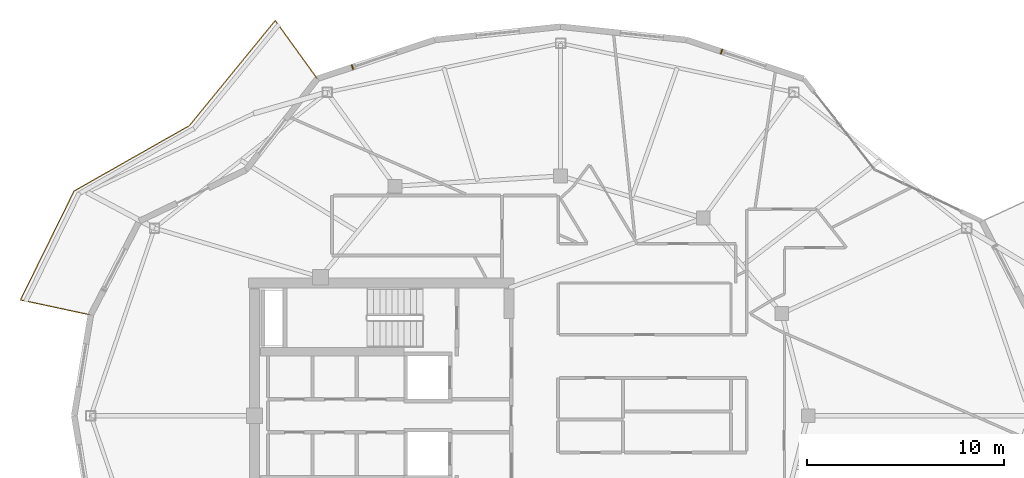
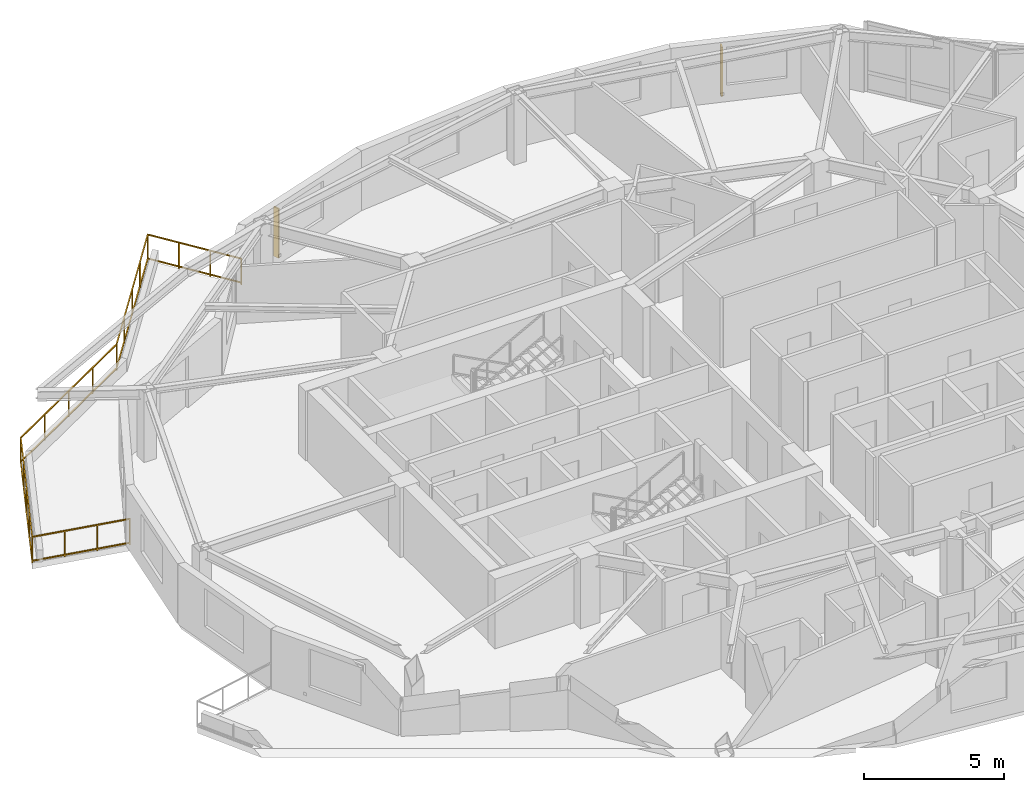
# One storey, part 14 of 14: 2 shading devices, 1 railing.
"""IFC4 building model written with IfcOpenShell, lengths in metres."""

from ifc_helpers import new_model, si_unit, direction, frame, origin, origin_2d, place, context, subcontext, project, spatial, rectangle, extrude, material, type_object, element, save


model = new_model("IFC4")

# Units and contexts
model_context = context("Model", 3, precision=1e-05, world=origin(), true_north=direction((0.0, 1.0)))
body_context = subcontext(model_context, "Body", "Model", "MODEL_VIEW")
ifc_project = project(units=[si_unit("LENGTHUNIT", "METRE"), si_unit("AREAUNIT", "SQUARE_METRE"), si_unit("VOLUMEUNIT", "CUBIC_METRE"), si_unit("PLANEANGLEUNIT", "RADIAN"), si_unit("MASSUNIT", "GRAM", prefix="KILO")], contexts=[model_context])

# Site, building, storey
site_placement = place(None, origin())
site = spatial("IfcSite", under=ifc_project, at=site_placement, CompositionType="ELEMENT")
building_placement = place(site_placement, origin())
building = spatial("IfcBuilding", under=site, at=building_placement, Name="Kolvaren Gate Tower and Convention Centre", CompositionType="ELEMENT")
storey_placement = place(building_placement, frame((0.0, 0.0, 232.699951171875)))
storey = spatial("IfcBuildingStorey", under=building, at=storey_placement, Name="L62", CompositionType="ELEMENT", Elevation=232.699951171875)

# Railing
ifc_material_1 = material(Name="Brushed Stainless Steel Grade 316L", Category="steel")
railing_type = type_object("IfcRailingType", Name="ARCH-RL-GUARD-1150", PredefinedType="GUARDRAIL", material=ifc_material_1)
railing_placement = place(storey_placement, frame((17.75, 44.147216796875, 0.0)))
element("IfcRailing", 1, at=railing_placement, inside=storey, type_object=railing_type, Name="Tower L62 Terrace Perimeter Guardrail GR-1", PredefinedType="GUARDRAIL", context=body_context, shape_type="SweptSolid", body=[
    extrude(rectangle(XDim=0.048095703125, YDim=0.048095703125, at=origin_2d()), frame((-0.016357421875, 0.022705078125, 1.1259765625), z_axis=(-0.585212870465, 0.810879705161, 0.0), x_axis=(-0.810879705161, -0.585212870465, 0.0)), (0.0, 0.0, 1.0), 3.603759765625),
    extrude(rectangle(XDim=0.048095703125, YDim=0.048095703125, at=origin_2d()), frame((-0.016357421875, 0.022705078125, 0.083984375), z_axis=(-0.585212870465, 0.810879705161, 0.0), x_axis=(-0.810879705161, -0.585212870465, 0.0)), (0.0, 0.0, 1.0), 3.603759765625),
    extrude(rectangle(XDim=0.048095703125, YDim=0.048095703125, at=origin_2d()), frame((-2.15966796875, 2.946044921875, 1.1259765625), z_axis=(-0.632718487063, -0.77438189295, 0.0), x_axis=(0.77438189295, -0.632718487063, 0.0)), (0.0, 0.0, 1.0), 6.858154296875),
    extrude(rectangle(XDim=0.048095703125, YDim=0.048095703125, at=origin_2d()), frame((-2.15966796875, 2.946044921875, 0.083984375), z_axis=(-0.632718487063, -0.77438189295, 0.0), x_axis=(0.77438189295, -0.632718487063, 0.0)), (0.0, 0.0, 1.0), 6.858154296875),
    extrude(rectangle(XDim=0.048095703125, YDim=0.048095703125, at=origin_2d()), frame((-6.541015625, -2.400390625, 1.1259765625), z_axis=(-0.869876155964, -0.493270182846, 0.0), x_axis=(0.493270182846, -0.869876155964, 0.0)), (0.0, 0.0, 1.0), 6.6865234375),
    extrude(rectangle(XDim=0.048095703125, YDim=0.048095703125, at=origin_2d()), frame((-6.541015625, -2.400390625, 0.083984375), z_axis=(-0.869876155964, -0.493270182846, 0.0), x_axis=(0.493270182846, -0.869876155964, 0.0)), (0.0, 0.0, 1.0), 6.6865234375),
    extrude(rectangle(XDim=0.048095703125, YDim=0.048095703125, at=origin_2d()), frame((-12.394287109375, -5.737548828125, 1.1259765625), z_axis=(-0.441625304244, -0.897199582396, 0.0), x_axis=(0.897199582396, -0.441625304244, 0.0)), (0.0, 0.0, 1.0), 6.122314453125),
    extrude(rectangle(XDim=0.048095703125, YDim=0.048095703125, at=origin_2d()), frame((-12.394287109375, -5.737548828125, 0.083984375), z_axis=(-0.441625304244, -0.897199582396, 0.0), x_axis=(0.897199582396, -0.441625304244, 0.0)), (0.0, 0.0, 1.0), 6.122314453125),
    extrude(rectangle(XDim=0.048095703125, YDim=0.048095703125, at=origin_2d()), frame((-15.0830078125, -11.261474609375, 1.1259765625), z_axis=(0.977788745232, -0.209592866525, 0.0), x_axis=(0.209592866525, 0.977788745232, 0.0)), (0.0, 0.0, 1.0), 3.603759765625),
    extrude(rectangle(XDim=0.048095703125, YDim=0.048095703125, at=origin_2d()), frame((-15.0830078125, -11.261474609375, 0.083984375), z_axis=(0.977788745232, -0.209592866525, 0.0), x_axis=(0.209592866525, 0.977788745232, 0.0)), (0.0, 0.0, 1.0), 3.603759765625),
    extrude(rectangle(XDim=0.0419921875, YDim=0.0419921875, at=origin_2d()), origin(), (0.0, 0.0, 1.0), 1.14990234375),
    extrude(rectangle(XDim=0.0419921875, YDim=0.0419921875, at=origin_2d()), frame((-2.141845703125, 2.9677734375, 0.0)), (0.0, 0.0, 1.0), 1.14990234375),
    extrude(rectangle(XDim=0.0419921875, YDim=0.0419921875, at=origin_2d()), frame((-0.7138671875, 0.9892578125, 0.0)), (0.0, 0.0, 1.0), 1.099853515625),
    extrude(rectangle(XDim=0.0419921875, YDim=0.0419921875, at=origin_2d()), frame((-1.427978515625, 1.978515625, 0.0)), (0.0, 0.0, 1.0), 1.099853515625),
    extrude(rectangle(XDim=0.0419921875, YDim=0.0419921875, at=origin_2d()), frame((-6.5166015625, -2.386474609375, 0.0)), (0.0, 0.0, 1.0), 1.14990234375),
    extrude(rectangle(XDim=0.0419921875, YDim=0.0419921875, at=origin_2d()), frame((-3.235595703125, 1.629150390625, 0.0)), (0.0, 0.0, 1.0), 1.099853515625),
    extrude(rectangle(XDim=0.0419921875, YDim=0.0419921875, at=origin_2d()), frame((-4.3291015625, 0.29052734375, 0.0)), (0.0, 0.0, 1.0), 1.099853515625),
    extrude(rectangle(XDim=0.0419921875, YDim=0.0419921875, at=origin_2d()), frame((-5.4228515625, -1.0478515625, 0.0)), (0.0, 0.0, 1.0), 1.099853515625),
    extrude(rectangle(XDim=0.0419921875, YDim=0.0419921875, at=origin_2d()), frame((-12.3818359375, -5.71240234375, 0.0)), (0.0, 0.0, 1.0), 1.14990234375),
    extrude(rectangle(XDim=0.0419921875, YDim=0.0419921875, at=origin_2d()), frame((-7.98291015625, -3.218017578125, 0.0)), (0.0, 0.0, 1.0), 1.099853515625),
    extrude(rectangle(XDim=0.0419921875, YDim=0.0419921875, at=origin_2d()), frame((-9.44921875, -4.04931640625, 0.0)), (0.0, 0.0, 1.0), 1.099853515625),
    extrude(rectangle(XDim=0.0419921875, YDim=0.0419921875, at=origin_2d()), frame((-10.91552734375, -4.880859375, 0.0)), (0.0, 0.0, 1.0), 1.099853515625),
    extrude(rectangle(XDim=0.0419921875, YDim=0.0419921875, at=origin_2d()), frame((-15.1103515625, -11.255615234375, 0.0)), (0.0, 0.0, 1.0), 1.14990234375),
    extrude(rectangle(XDim=0.0419921875, YDim=0.0419921875, at=origin_2d()), frame((-13.06396484375, -7.09814453125, 0.0)), (0.0, 0.0, 1.0), 1.099853515625),
    extrude(rectangle(XDim=0.0419921875, YDim=0.0419921875, at=origin_2d()), frame((-13.74609375, -8.48388671875, 0.0)), (0.0, 0.0, 1.0), 1.099853515625),
    extrude(rectangle(XDim=0.0419921875, YDim=0.0419921875, at=origin_2d()), frame((-14.42822265625, -9.869873046875, 0.0)), (0.0, 0.0, 1.0), 1.099853515625),
    extrude(rectangle(XDim=0.0419921875, YDim=0.0419921875, at=origin_2d()), frame((-11.53173828125, -12.022705078125, 0.0)), (0.0, 0.0, 1.0), 1.14990234375),
    extrude(rectangle(XDim=0.0419921875, YDim=0.0419921875, at=origin_2d()), frame((-13.91748046875, -11.51123046875, 0.0)), (0.0, 0.0, 1.0), 1.099853515625),
    extrude(rectangle(XDim=0.0419921875, YDim=0.0419921875, at=origin_2d()), frame((-12.724609375, -11.76708984375, 0.0)), (0.0, 0.0, 1.0), 1.099853515625),
])

# Shading devices
ifc_material_2 = material(Name="Kiln-Fired Bogota Terracotta Ceramic Louvre Profile", Category="masonry")
shading_device_type = type_object("IfcShadingDeviceType", Name="ARCH-SHD-FIN-180", PredefinedType="JALOUSIE", material=ifc_material_2)
for number, where, z_axis, x_axis, name in (
    (2, (38.319091796875, 45.53271484375, 0.22021484375), (0.0, 0.0, 1.0), (0.949241728595, -0.314547517385, 0.0), "Ceramic Vertical Brise-Soleil Fin FN-L62-04"),
    (3, (19.538330078125, 44.739990234375, 0.22021484375), (0.0, 0.0, 1.0), (0.949241728595, 0.314547517385, 0.0), "Ceramic Vertical Brise-Soleil Fin FN-L62-07"),
):
    element("IfcShadingDevice", number, at=place(storey_placement, frame(where, z_axis=z_axis, x_axis=x_axis)), inside=storey, type_object=shading_device_type, Name=name, PredefinedType="JALOUSIE", context=body_context, shape_type="SweptSolid", body=[
        extrude(rectangle(XDim=0.06005859375, YDim=0.239990234375, at=origin_2d()), origin(), (0.0, 0.0, 1.0), 2.14990234375),
    ])

save(model, "model.ifc")
